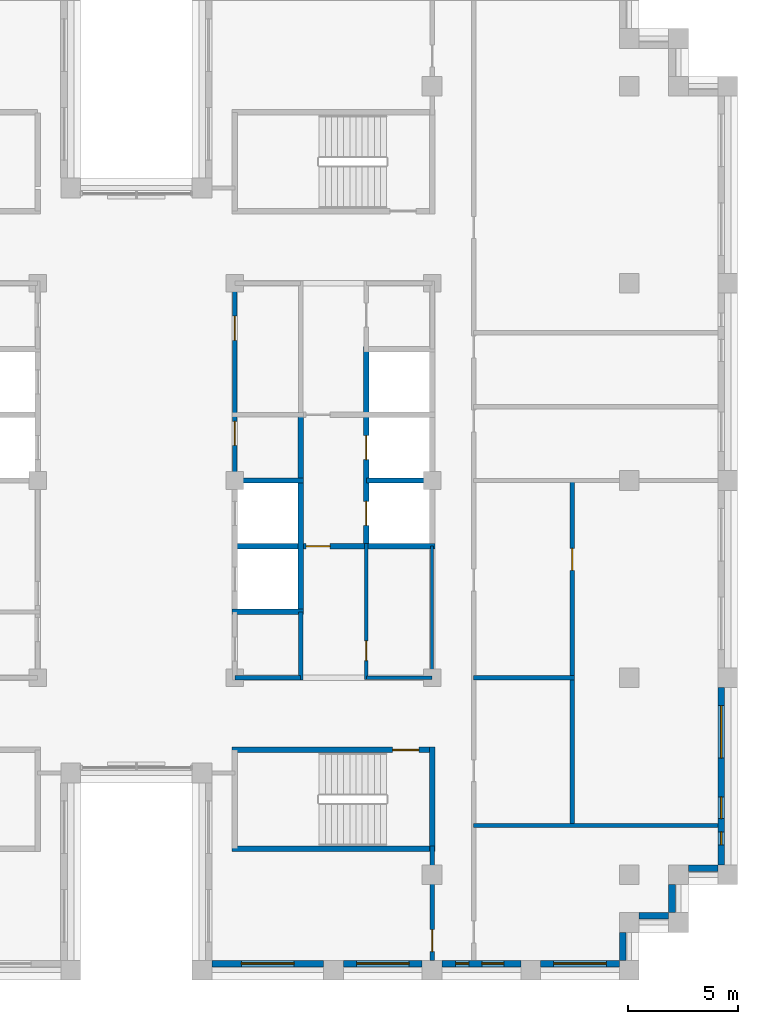
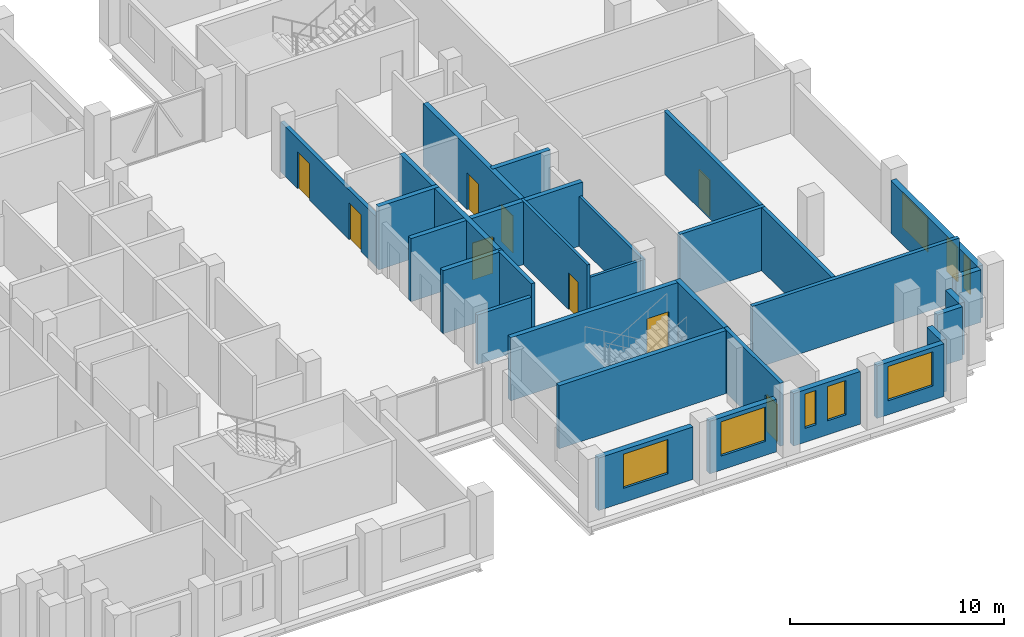
# One storey, part 8 of 13: 28 walls, 9 doors, 8 windows, 17 openings.
"""IFC4 building model written with IfcOpenShell, lengths in metres."""

from ifc_helpers import new_model, si_unit, direction, frame, frame_2d, origin, place, context, subcontext, project, spatial, rectangle, extrude, material, layer, layer_set, type_object, element, fill, save


model = new_model("IFC4")

# Units and contexts
model_context = context("Model", 3, precision=1e-05, world=origin(), true_north=direction((0.0, 1.0)))
body_context = subcontext(model_context, "Body", "Model", "MODEL_VIEW")
ifc_project = project(units=[si_unit("LENGTHUNIT", "METRE"), si_unit("AREAUNIT", "SQUARE_METRE"), si_unit("VOLUMEUNIT", "CUBIC_METRE"), si_unit("PLANEANGLEUNIT", "RADIAN"), si_unit("MASSUNIT", "GRAM", prefix="KILO")], contexts=[model_context])

# Site, building, storey
site_placement = place(None, origin())
site = spatial("IfcSite", under=ifc_project, at=site_placement, CompositionType="ELEMENT")
building_placement = place(site_placement, origin())
building = spatial("IfcBuilding", under=site, at=building_placement, Name="Corbelhall Arena Tower", CompositionType="ELEMENT")
storey_placement = place(building_placement, frame((0.0, 0.0, 290.0)))
storey = spatial("IfcBuildingStorey", under=building, at=storey_placement, Name="L63", CompositionType="ELEMENT", Elevation=290.0)

# Wall, opening, window
ifc_material_1 = material(Name="Precast concrete C40/50 with granite facing", Category="masonry")
ifc_layer_1 = layer(ifc_material_1, 0.300048828125)
ifc_layer_set_1 = layer_set([ifc_layer_1], Name="EV-IW1 Infill panel 300")
wall_type_1 = type_object("IfcWallType", Name="EV-IW1 Infill panel 300", PredefinedType="SOLIDWALL", material=ifc_layer_set_1)
wall_1_placement = place(storey_placement, frame((3.449951171875, -22.050048828125, 0.0), z_axis=(0.0, 0.0, 1.0), x_axis=(1.0, 0.0, 0.0)))
wall_1 = element("IfcWall", 1, at=wall_1_placement, inside=storey, type_object=wall_type_1, Name="Infill panel IW1", PredefinedType="SOLIDWALL", context=body_context, shape_type="SweptSolid", body=[
    extrude(rectangle(XDim=5.10009765625, YDim=0.300048828125, at=frame_2d((2.550048828125, 0.0))), origin(), (0.0, 0.0, 1.0), 2.989990234375),
])
opening_1_placement = place(wall_1_placement, frame((1.35009765625, 0.0, 0.800048828125)))
opening_1 = element("IfcOpeningElement", 2, at=opening_1_placement, cuts=wall_1, Name="Opening WN1", PredefinedType="OPENING", context=body_context, shape_type="SweptSolid", body=[
    extrude(rectangle(XDim=2.39990234375, YDim=1.949951171875, at=frame_2d((1.199951171875, 0.97509765625))), frame((0.0, 0.14990234375, 0.0), z_axis=(0.0, -1.0, 0.0), x_axis=(1.0, 0.0, 0.0)), (0.0, 0.0, 1.0), 0.300048828125),
])
ifc_material_2 = material(Name="Aluminium black anodised", Category="aluminium")
window_type_1 = type_object("IfcWindowType", Name="EV-WN1 Office window", PartitioningType="SINGLE_PANEL", PredefinedType="WINDOW", material=ifc_material_2)
window_1_placement = place(opening_1_placement, origin())
window_1 = element("IfcWindow", 3, at=window_1_placement, inside=storey, type_object=window_type_1, Name="Window WN1", OverallHeight=1.949951171875, OverallWidth=2.39990234375, PartitioningType="SINGLE_PANEL", PredefinedType="WINDOW", context=body_context, shape_type="SweptSolid", body=[
    extrude(rectangle(XDim=2.39990234375, YDim=1.949951171875, at=frame_2d((1.199951171875, 0.97509765625))), frame((0.0, 0.030029296875, 0.0), z_axis=(0.0, -1.0, 0.0), x_axis=(1.0, 0.0, 0.0)), (0.0, 0.0, 1.0), 0.06005859375),
])
fill(opening_1, window_1)

wall_2_placement = place(storey_placement, frame((9.449951171875, -22.050048828125, 0.0), z_axis=(0.0, 0.0, 1.0), x_axis=(1.0, 0.0, 0.0)))
wall_2 = element("IfcWall", 4, at=wall_2_placement, inside=storey, type_object=wall_type_1, Name="Infill panel IW1", PredefinedType="SOLIDWALL", context=body_context, shape_type="SweptSolid", body=[
    extrude(rectangle(XDim=3.60009765625, YDim=0.300048828125, at=frame_2d((1.800048828125, 0.0))), origin(), (0.0, 0.0, 1.0), 2.989990234375),
])
opening_2_placement = place(wall_2_placement, frame((0.60009765625, 0.0, 0.800048828125)))
opening_2 = element("IfcOpeningElement", 5, at=opening_2_placement, cuts=wall_2, Name="Opening WN1", PredefinedType="OPENING", context=body_context, shape_type="SweptSolid", body=[
    extrude(rectangle(XDim=2.39990234375, YDim=1.949951171875, at=frame_2d((1.199951171875, 0.97509765625))), frame((0.0, 0.14990234375, 0.0), z_axis=(0.0, -1.0, 0.0), x_axis=(1.0, 0.0, 0.0)), (0.0, 0.0, 1.0), 0.300048828125),
])
window_2_placement = place(opening_2_placement, origin())
window_2 = element("IfcWindow", 6, at=window_2_placement, inside=storey, type_object=window_type_1, Name="Window WN1", OverallHeight=1.949951171875, OverallWidth=2.39990234375, PartitioningType="SINGLE_PANEL", PredefinedType="WINDOW", context=body_context, shape_type="SweptSolid", body=[
    extrude(rectangle(XDim=2.39990234375, YDim=1.949951171875, at=frame_2d((1.199951171875, 0.97509765625))), frame((0.0, 0.030029296875, 0.0), z_axis=(0.0, -1.0, 0.0), x_axis=(1.0, 0.0, 0.0)), (0.0, 0.0, 1.0), 0.06005859375),
])
fill(opening_2, window_2)

# Wall, openings, windows
wall_3_placement = place(storey_placement, frame((13.949951171875, -22.050048828125, 0.0), z_axis=(0.0, 0.0, 1.0), x_axis=(1.0, 0.0, 0.0)))
wall_3 = element("IfcWall", 7, at=wall_3_placement, inside=storey, type_object=wall_type_1, Name="Infill panel IW1", PredefinedType="SOLIDWALL", context=body_context, shape_type="SweptSolid", body=[
    extrude(rectangle(XDim=3.60009765625, YDim=0.300048828125, at=frame_2d((1.800048828125, 0.0))), origin(), (0.0, 0.0, 1.0), 2.989990234375),
])
opening_3_placement = place(wall_3_placement, frame((0.625, 0.0, 0.800048828125)))
opening_3 = element("IfcOpeningElement", 8, at=opening_3_placement, cuts=wall_3, Name="Opening WN5", PredefinedType="OPENING", context=body_context, shape_type="SweptSolid", body=[
    extrude(rectangle(XDim=0.60009765625, YDim=1.949951171875, at=frame_2d((0.300048828125, 0.97509765625))), frame((0.0, 0.14990234375, 0.0), z_axis=(0.0, -1.0, 0.0), x_axis=(1.0, 0.0, 0.0)), (0.0, 0.0, 1.0), 0.300048828125),
])
opening_4_placement = place(wall_3_placement, frame((1.824951171875, 0.0, 0.800048828125)))
opening_4 = element("IfcOpeningElement", 9, at=opening_4_placement, cuts=wall_3, Name="Opening WN6", PredefinedType="OPENING", context=body_context, shape_type="SweptSolid", body=[
    extrude(rectangle(XDim=1.0, YDim=1.949951171875, at=frame_2d((0.5, 0.97509765625))), frame((0.0, 0.14990234375, 0.0), z_axis=(0.0, -1.0, 0.0), x_axis=(1.0, 0.0, 0.0)), (0.0, 0.0, 1.0), 0.300048828125),
])
window_type_2 = type_object("IfcWindowType", Name="EV-WN5 Office window 600", PartitioningType="SINGLE_PANEL", PredefinedType="WINDOW", material=ifc_material_2)
window_3_placement = place(opening_3_placement, origin())
window_3 = element("IfcWindow", 10, at=window_3_placement, inside=storey, type_object=window_type_2, Name="Window WN5", OverallHeight=1.949951171875, OverallWidth=0.60009765625, PartitioningType="SINGLE_PANEL", PredefinedType="WINDOW", context=body_context, shape_type="SweptSolid", body=[
    extrude(rectangle(XDim=0.60009765625, YDim=1.949951171875, at=frame_2d((0.300048828125, 0.97509765625))), frame((0.0, 0.030029296875, 0.0), z_axis=(0.0, -1.0, 0.0), x_axis=(1.0, 0.0, 0.0)), (0.0, 0.0, 1.0), 0.06005859375),
])
fill(opening_3, window_3)
window_type_3 = type_object("IfcWindowType", Name="EV-WN6 Office window 1000", PartitioningType="SINGLE_PANEL", PredefinedType="WINDOW", material=ifc_material_2)
window_4_placement = place(opening_4_placement, origin())
window_4 = element("IfcWindow", 11, at=window_4_placement, inside=storey, type_object=window_type_3, Name="Window WN6", OverallHeight=1.949951171875, OverallWidth=1.0, PartitioningType="SINGLE_PANEL", PredefinedType="WINDOW", context=body_context, shape_type="SweptSolid", body=[
    extrude(rectangle(XDim=1.0, YDim=1.949951171875, at=frame_2d((0.5, 0.97509765625))), frame((0.0, 0.030029296875, 0.0), z_axis=(0.0, -1.0, 0.0), x_axis=(1.0, 0.0, 0.0)), (0.0, 0.0, 1.0), 0.06005859375),
])
fill(opening_4, window_4)

# Wall, opening, window
wall_4_placement = place(storey_placement, frame((18.449951171875, -22.050048828125, 0.0), z_axis=(0.0, 0.0, 1.0), x_axis=(1.0, 0.0, 0.0)))
wall_4 = element("IfcWall", 12, at=wall_4_placement, inside=storey, type_object=wall_type_1, Name="Infill panel IW1", PredefinedType="SOLIDWALL", context=body_context, shape_type="SweptSolid", body=[
    extrude(rectangle(XDim=3.60009765625, YDim=0.300048828125, at=frame_2d((1.800048828125, 0.0))), origin(), (0.0, 0.0, 1.0), 2.989990234375),
])
opening_5_placement = place(wall_4_placement, frame((0.60009765625, 0.0, 0.800048828125)))
opening_5 = element("IfcOpeningElement", 13, at=opening_5_placement, cuts=wall_4, Name="Opening WN1", PredefinedType="OPENING", context=body_context, shape_type="SweptSolid", body=[
    extrude(rectangle(XDim=2.39990234375, YDim=1.949951171875, at=frame_2d((1.199951171875, 0.97509765625))), frame((0.0, 0.14990234375, 0.0), z_axis=(0.0, -1.0, 0.0), x_axis=(1.0, 0.0, 0.0)), (0.0, 0.0, 1.0), 0.300048828125),
])
window_5_placement = place(opening_5_placement, origin())
window_5 = element("IfcWindow", 14, at=window_5_placement, inside=storey, type_object=window_type_1, Name="Window WN1", OverallHeight=1.949951171875, OverallWidth=2.39990234375, PartitioningType="SINGLE_PANEL", PredefinedType="WINDOW", context=body_context, shape_type="SweptSolid", body=[
    extrude(rectangle(XDim=2.39990234375, YDim=1.949951171875, at=frame_2d((1.199951171875, 0.97509765625))), frame((0.0, 0.030029296875, 0.0), z_axis=(0.0, -1.0, 0.0), x_axis=(1.0, 0.0, 0.0)), (0.0, 0.0, 1.0), 0.06005859375),
])
fill(opening_5, window_5)

# Walls
wall_5_placement = place(storey_placement, frame((22.199951171875, -21.89990234375, 0.0), z_axis=(0.0, 0.0, 1.0), x_axis=(0.0, 1.0, 0.0)))
element("IfcWall", 15, at=wall_5_placement, inside=storey, type_object=wall_type_1, Name="Infill panel IW1", PredefinedType="SOLIDWALL", context=body_context, shape_type="SweptSolid", body=[
    extrude(rectangle(XDim=1.27490234375, YDim=0.300048828125, at=frame_2d((0.637451171875, 0.0))), origin(), (0.0, 0.0, 1.0), 2.989990234375),
])
wall_6_placement = place(storey_placement, frame((22.949951171875, -19.875, 0.0), z_axis=(0.0, 0.0, 1.0), x_axis=(1.0, 0.0, 0.0)))
element("IfcWall", 16, at=wall_6_placement, inside=storey, type_object=wall_type_1, Name="Infill panel IW1", PredefinedType="SOLIDWALL", context=body_context, shape_type="SweptSolid", body=[
    extrude(rectangle(XDim=1.35009765625, YDim=0.300048828125, at=frame_2d((0.675048828125, 0.0))), origin(), (0.0, 0.0, 1.0), 2.989990234375),
])
wall_7_placement = place(storey_placement, frame((24.449951171875, -19.72509765625, 0.0), z_axis=(0.0, 0.0, 1.0), x_axis=(0.0, 1.0, 0.0)))
element("IfcWall", 17, at=wall_7_placement, inside=storey, type_object=wall_type_1, Name="Infill panel IW1", PredefinedType="SOLIDWALL", context=body_context, shape_type="SweptSolid", body=[
    extrude(rectangle(XDim=1.275146484375, YDim=0.300048828125, at=frame_2d((0.6376953125, 0.0))), origin(), (0.0, 0.0, 1.0), 2.989990234375),
])
wall_8_placement = place(storey_placement, frame((25.199951171875, -17.699951171875, 0.0), z_axis=(0.0, 0.0, 1.0), x_axis=(1.0, 0.0, 0.0)))
element("IfcWall", 18, at=wall_8_placement, inside=storey, type_object=wall_type_1, Name="Infill panel IW1", PredefinedType="SOLIDWALL", context=body_context, shape_type="SweptSolid", body=[
    extrude(rectangle(XDim=1.35009765625, YDim=0.300048828125, at=frame_2d((0.675048828125, 0.0))), origin(), (0.0, 0.0, 1.0), 2.989990234375),
])

# Wall, openings, windows
wall_9_placement = place(storey_placement, frame((26.699951171875, -17.550048828125, 0.0), z_axis=(0.0, 0.0, 1.0), x_axis=(0.0, 1.0, 0.0)))
wall_9 = element("IfcWall", 19, at=wall_9_placement, inside=storey, type_object=wall_type_1, Name="Infill panel IW1", PredefinedType="SOLIDWALL", context=body_context, shape_type="SweptSolid", body=[
    extrude(rectangle(XDim=8.10009765625, YDim=0.300048828125, at=frame_2d((4.050048828125, 0.0))), origin(), (0.0, 0.0, 1.0), 2.989990234375),
])
opening_6_placement = place(wall_9_placement, frame((4.875, 0.0, 0.800048828125)))
opening_6 = element("IfcOpeningElement", 20, at=opening_6_placement, cuts=wall_9, Name="Opening WN1", PredefinedType="OPENING", context=body_context, shape_type="SweptSolid", body=[
    extrude(rectangle(XDim=2.39990234375, YDim=1.949951171875, at=frame_2d((1.199951171875, 0.97509765625))), frame((0.0, 0.14990234375, 0.0), z_axis=(0.0, -1.0, 0.0), x_axis=(1.0, 0.0, 0.0)), (0.0, 0.0, 1.0), 0.300048828125),
])
opening_7_placement = place(wall_9_placement, frame((0.91259765625, 0.0, 0.800048828125)))
opening_7 = element("IfcOpeningElement", 21, at=opening_7_placement, cuts=wall_9, Name="Opening WN5", PredefinedType="OPENING", context=body_context, shape_type="SweptSolid", body=[
    extrude(rectangle(XDim=0.60009765625, YDim=1.949951171875, at=frame_2d((0.300048828125, 0.97509765625))), frame((0.0, 0.14990234375, 0.0), z_axis=(0.0, -1.0, 0.0), x_axis=(1.0, 0.0, 0.0)), (0.0, 0.0, 1.0), 0.300048828125),
])
opening_8_placement = place(wall_9_placement, frame((2.112548828125, 0.0, 0.800048828125)))
opening_8 = element("IfcOpeningElement", 22, at=opening_8_placement, cuts=wall_9, Name="Opening WN6", PredefinedType="OPENING", context=body_context, shape_type="SweptSolid", body=[
    extrude(rectangle(XDim=1.0, YDim=1.949951171875, at=frame_2d((0.5, 0.97509765625))), frame((0.0, 0.14990234375, 0.0), z_axis=(0.0, -1.0, 0.0), x_axis=(1.0, 0.0, 0.0)), (0.0, 0.0, 1.0), 0.300048828125),
])
window_6_placement = place(opening_6_placement, origin())
window_6 = element("IfcWindow", 23, at=window_6_placement, inside=storey, type_object=window_type_1, Name="Window WN1", OverallHeight=1.949951171875, OverallWidth=2.39990234375, PartitioningType="SINGLE_PANEL", PredefinedType="WINDOW", context=body_context, shape_type="SweptSolid", body=[
    extrude(rectangle(XDim=2.39990234375, YDim=1.949951171875, at=frame_2d((1.199951171875, 0.97509765625))), frame((0.0, 0.030029296875, 0.0), z_axis=(0.0, -1.0, 0.0), x_axis=(1.0, 0.0, 0.0)), (0.0, 0.0, 1.0), 0.06005859375),
])
fill(opening_6, window_6)
window_7_placement = place(opening_7_placement, origin())
window_7 = element("IfcWindow", 24, at=window_7_placement, inside=storey, type_object=window_type_2, Name="Window WN5", OverallHeight=1.949951171875, OverallWidth=0.60009765625, PartitioningType="SINGLE_PANEL", PredefinedType="WINDOW", context=body_context, shape_type="SweptSolid", body=[
    extrude(rectangle(XDim=0.60009765625, YDim=1.949951171875, at=frame_2d((0.300048828125, 0.97509765625))), frame((0.0, 0.030029296875, 0.0), z_axis=(0.0, -1.0, 0.0), x_axis=(1.0, 0.0, 0.0)), (0.0, 0.0, 1.0), 0.06005859375),
])
fill(opening_7, window_7)
window_8_placement = place(opening_8_placement, origin())
window_8 = element("IfcWindow", 25, at=window_8_placement, inside=storey, type_object=window_type_3, Name="Window WN6", OverallHeight=1.949951171875, OverallWidth=1.0, PartitioningType="SINGLE_PANEL", PredefinedType="WINDOW", context=body_context, shape_type="SweptSolid", body=[
    extrude(rectangle(XDim=1.0, YDim=1.949951171875, at=frame_2d((0.5, 0.97509765625))), frame((0.0, 0.030029296875, 0.0), z_axis=(0.0, -1.0, 0.0), x_axis=(1.0, 0.0, 0.0)), (0.0, 0.0, 1.0), 0.06005859375),
])
fill(opening_8, window_8)

# Wall, opening, door
ifc_material_3 = material(Name="Gypsum board on steel stud, acoustic", Category="steel")
ifc_layer_2 = layer(ifc_material_3, 0.199951171875)
ifc_layer_set_2 = layer_set([ifc_layer_2], Name="IN-W-DM200")
wall_type_2 = type_object("IfcWallType", Name="IN-W-DM200", PredefinedType="PARTITIONING", material=ifc_layer_set_2)
wall_10_placement = place(storey_placement, frame((13.5, -21.89990234375, 0.0), z_axis=(0.0, 0.0, 1.0), x_axis=(0.0, 1.0, 0.0)))
wall_10 = element("IfcWall", 26, at=wall_10_placement, inside=storey, type_object=wall_type_2, Name="Partition 012", PredefinedType="PARTITIONING", context=body_context, shape_type="SweptSolid", body=[
    extrude(rectangle(XDim=5.224853515625, YDim=0.199951171875, at=frame_2d((2.6123046875, 0.0))), origin(), (0.0, 0.0, 1.0), 3.590087890625),
])
opening_9_placement = place(wall_10_placement, frame((0.39990234375, 0.0, 0.0)))
opening_9 = element("IfcOpeningElement", 27, at=opening_9_placement, cuts=wall_10, Name="Opening 20022", PredefinedType="OPENING", context=body_context, shape_type="SweptSolid", body=[
    extrude(rectangle(XDim=1.0, YDim=2.10009765625, at=frame_2d((0.5, 1.050048828125))), frame((0.0, 0.10009765625, 0.0), z_axis=(0.0, -1.0, 0.0), x_axis=(1.0, 0.0, 0.0)), (0.0, 0.0, 1.0), 0.199951171875),
])
ifc_material_4 = material(Name="Steel door set", Category="steel")
door_type_1 = type_object("IfcDoorType", Name="IN-D-SW100", OperationType="NOTDEFINED", PredefinedType="DOOR", material=ifc_material_4)
door_1_placement = place(opening_9_placement, origin())
door_1 = element("IfcDoor", 28, at=door_1_placement, inside=storey, type_object=door_type_1, Name="Door 022", OperationType="SINGLE_SWING_LEFT", OverallHeight=2.10009765625, OverallWidth=1.0, PredefinedType="DOOR", context=body_context, shape_type="SweptSolid", body=[
    extrude(rectangle(XDim=1.0, YDim=2.10009765625, at=frame_2d((0.5, 1.050048828125))), frame((0.0, 0.02490234375, 0.0), z_axis=(0.0, -1.0, 0.0), x_axis=(1.0, 0.0, 0.0)), (0.0, 0.0, 1.0), 0.050048828125),
])
fill(opening_9, door_1)

# Walls
wall_11_placement = place(storey_placement, frame((15.39990234375, -15.75, 0.0), z_axis=(0.0, 0.0, 1.0), x_axis=(1.0, 0.0, 0.0)))
element("IfcWall", 29, at=wall_11_placement, inside=storey, type_object=wall_type_2, Name="Partition 014", PredefinedType="PARTITIONING", context=body_context, shape_type="SweptSolid", body=[
    extrude(rectangle(XDim=11.150146484375, YDim=0.199951171875, at=frame_2d((5.5751953125, 0.0))), origin(), (0.0, 0.0, 1.0), 3.590087890625),
])
wall_12_placement = place(storey_placement, frame((15.39990234375, -9.0, 0.0), z_axis=(0.0, 0.0, 1.0), x_axis=(1.0, 0.0, 0.0)))
element("IfcWall", 30, at=wall_12_placement, inside=storey, type_object=wall_type_2, Name="Partition 016", PredefinedType="PARTITIONING", context=body_context, shape_type="SweptSolid", body=[
    extrude(rectangle(XDim=4.60009765625, YDim=0.199951171875, at=frame_2d((2.300048828125, 0.0))), origin(), (0.0, 0.0, 1.0), 3.590087890625),
])

# Wall, opening, door
wall_13_placement = place(storey_placement, frame((19.89990234375, 0.0, 0.0), z_axis=(0.0, 0.0, 1.0), x_axis=(0.0, -1.0, 0.0)))
wall_13 = element("IfcWall", 31, at=wall_13_placement, inside=storey, type_object=wall_type_2, Name="Partition 019", PredefinedType="PARTITIONING", context=body_context, shape_type="SweptSolid", body=[
    extrude(rectangle(XDim=15.75, YDim=0.199951171875, at=frame_2d((7.875, 0.0))), origin(), (0.0, 0.0, 1.0), 3.590087890625),
])
opening_10_placement = place(wall_13_placement, frame((3.10009765625, 0.0, 0.0)))
opening_10 = element("IfcOpeningElement", 32, at=opening_10_placement, cuts=wall_13, Name="Opening 20034", PredefinedType="OPENING", context=body_context, shape_type="SweptSolid", body=[
    extrude(rectangle(XDim=1.0, YDim=2.10009765625, at=frame_2d((0.5, 1.050048828125))), frame((0.0, 0.10009765625, 0.0), z_axis=(0.0, -1.0, 0.0), x_axis=(1.0, 0.0, 0.0)), (0.0, 0.0, 1.0), 0.199951171875),
])
door_2_placement = place(opening_10_placement, origin())
door_2 = element("IfcDoor", 33, at=door_2_placement, inside=storey, type_object=door_type_1, Name="Door 034", OperationType="SINGLE_SWING_LEFT", OverallHeight=2.10009765625, OverallWidth=1.0, PredefinedType="DOOR", context=body_context, shape_type="SweptSolid", body=[
    extrude(rectangle(XDim=1.0, YDim=2.10009765625, at=frame_2d((0.5, 1.050048828125))), frame((0.0, 0.02490234375, 0.0), z_axis=(0.0, -1.0, 0.0), x_axis=(1.0, 0.0, 0.0)), (0.0, 0.0, 1.0), 0.050048828125),
])
fill(opening_10, door_2)

# Wall
ifc_material_5 = material(Name="Concrete block wall", Category="concrete")
ifc_layer_3 = layer(ifc_material_5, 0.199951171875)
ifc_layer_set_3 = layer_set([ifc_layer_3], Name="IN-W-RS200")
wall_type_3 = type_object("IfcWallType", Name="IN-W-RS200", PredefinedType="SOLIDWALL", material=ifc_layer_set_3)
wall_14_placement = place(storey_placement, frame((7.5, -6.0, 0.0), z_axis=(0.0, 0.0, 1.0), x_axis=(0.0, -1.0, 0.0)))
element("IfcWall", 34, at=wall_14_placement, inside=storey, type_object=wall_type_3, Name="Partition 035", PredefinedType="SOLIDWALL", context=body_context, shape_type="SweptSolid", body=[
    extrude(rectangle(XDim=3.10009765625, YDim=0.199951171875, at=frame_2d((1.550048828125, 0.0))), origin(), (0.0, 0.0, 1.0), 3.590087890625),
])

# Wall, openings, doors
ifc_layer_4 = layer(ifc_material_5, 0.199951171875)
ifc_layer_set_4 = layer_set([ifc_layer_4], Name="IN-W-RS200 under beam 762 mm")
wall_type_4 = type_object("IfcWallType", Name="IN-W-RS200 under beam 762 mm", PredefinedType="SOLIDWALL", material=ifc_layer_set_4)
wall_15_placement = place(storey_placement, frame((4.5, 0.0, 0.0), z_axis=(0.0, 0.0, 1.0), x_axis=(0.0, 1.0, 0.0)))
wall_15 = element("IfcWall", 35, at=wall_15_placement, inside=storey, type_object=wall_type_4, Name="Partition 032", PredefinedType="SOLIDWALL", context=body_context, shape_type="SweptSolid", body=[
    extrude(rectangle(XDim=9.10009765625, YDim=0.199951171875, at=frame_2d((4.550048828125, 0.0))), origin(), (0.0, 0.0, 1.0), 2.827880859375),
])
opening_11_placement = place(wall_15_placement, frame((1.60009765625, 0.0, 0.0)))
opening_11 = element("IfcOpeningElement", 36, at=opening_11_placement, cuts=wall_15, Name="Opening 20010", PredefinedType="OPENING", context=body_context, shape_type="SweptSolid", body=[
    extrude(rectangle(XDim=1.10009765625, YDim=2.10009765625, at=frame_2d((0.550048828125, 1.050048828125))), frame((0.0, 0.10009765625, 0.0), z_axis=(0.0, -1.0, 0.0), x_axis=(1.0, 0.0, 0.0)), (0.0, 0.0, 1.0), 0.199951171875),
])
opening_12_placement = place(wall_15_placement, frame((6.39990234375, 0.0, 0.0)))
opening_12 = element("IfcOpeningElement", 37, at=opening_12_placement, cuts=wall_15, Name="Opening 20011", PredefinedType="OPENING", context=body_context, shape_type="SweptSolid", body=[
    extrude(rectangle(XDim=1.10009765625, YDim=2.10009765625, at=frame_2d((0.550048828125, 1.050048828125))), frame((0.0, 0.10009765625, 0.0), z_axis=(0.0, -1.0, 0.0), x_axis=(1.0, 0.0, 0.0)), (0.0, 0.0, 1.0), 0.199951171875),
])
door_type_2 = type_object("IfcDoorType", Name="IN-D-FD110", OperationType="NOTDEFINED", PredefinedType="DOOR", material=ifc_material_4)
door_3_placement = place(opening_11_placement, origin())
door_3 = element("IfcDoor", 38, at=door_3_placement, inside=storey, type_object=door_type_2, Name="Door 010", OperationType="SINGLE_SWING_LEFT", OverallHeight=2.10009765625, OverallWidth=1.10009765625, PredefinedType="DOOR", context=body_context, shape_type="SweptSolid", body=[
    extrude(rectangle(XDim=1.10009765625, YDim=2.10009765625, at=frame_2d((0.550048828125, 1.050048828125))), frame((0.0, 0.02490234375, 0.0), z_axis=(0.0, -1.0, 0.0), x_axis=(1.0, 0.0, 0.0)), (0.0, 0.0, 1.0), 0.050048828125),
])
fill(opening_11, door_3)
door_4_placement = place(opening_12_placement, origin())
door_4 = element("IfcDoor", 39, at=door_4_placement, inside=storey, type_object=door_type_2, Name="Door 011", OperationType="SINGLE_SWING_RIGHT", OverallHeight=2.10009765625, OverallWidth=1.10009765625, PredefinedType="DOOR", context=body_context, shape_type="SweptSolid", body=[
    extrude(rectangle(XDim=1.10009765625, YDim=2.10009765625, at=frame_2d((0.550048828125, 1.050048828125))), frame((0.0, 0.02490234375, 0.0), z_axis=(0.0, -1.0, 0.0), x_axis=(1.0, 0.0, 0.0)), (0.0, 0.0, 1.0), 0.050048828125),
])
fill(opening_12, door_4)

# Walls
wall_16_placement = place(storey_placement, frame((7.5, -9.0, 0.0), z_axis=(0.0, 0.0, 1.0), x_axis=(-1.0, 0.0, 0.0)))
element("IfcWall", 40, at=wall_16_placement, inside=storey, type_object=wall_type_4, Name="Partition 034", PredefinedType="SOLIDWALL", context=body_context, shape_type="SweptSolid", body=[
    extrude(rectangle(XDim=3.0, YDim=0.199951171875, at=frame_2d((1.5, 0.0))), origin(), (0.0, 0.0, 1.0), 2.827880859375),
])
ifc_material_6 = material(Name="Concrete C40/50", Category="concrete")
ifc_layer_5 = layer(ifc_material_6, 0.25)
ifc_layer_set_5 = layer_set([ifc_layer_5], Name="IN-W-SH250")
wall_type_5 = type_object("IfcWallType", Name="IN-W-SH250", PredefinedType="SOLIDWALL", material=ifc_layer_set_5)
wall_17_placement = place(storey_placement, frame((4.375, -6.0, 0.0), z_axis=(0.0, 0.0, 1.0), x_axis=(1.0, 0.0, 0.0)))
element("IfcWall", 41, at=wall_17_placement, inside=storey, type_object=wall_type_5, Name="Shaft wall 049", PredefinedType="SOLIDWALL", context=body_context, shape_type="SweptSolid", body=[
    extrude(rectangle(XDim=3.25, YDim=0.25, at=frame_2d((1.625, 0.0))), origin(), (0.0, 0.0, 1.0), 3.590087890625),
])

# Wall, opening, door
wall_18_placement = place(storey_placement, frame((4.375, -3.0, 0.0), z_axis=(0.0, 0.0, 1.0), x_axis=(1.0, 0.0, 0.0)))
wall_18 = element("IfcWall", 42, at=wall_18_placement, inside=storey, type_object=wall_type_5, Name="Shaft wall 050", PredefinedType="SOLIDWALL", context=body_context, shape_type="SweptSolid", body=[
    extrude(rectangle(XDim=9.25, YDim=0.25, at=frame_2d((4.625, 0.0))), origin(), (0.0, 0.0, 1.0), 3.590087890625),
])
opening_13_placement = place(wall_18_placement, frame((3.375, 0.0, 0.0)))
opening_13 = element("IfcOpeningElement", 43, at=opening_13_placement, cuts=wall_18, Name="Opening 20012", PredefinedType="OPENING", context=body_context, shape_type="SweptSolid", body=[
    extrude(rectangle(XDim=1.10009765625, YDim=2.10009765625, at=frame_2d((0.550048828125, 1.050048828125))), frame((0.0, 0.125, 0.0), z_axis=(0.0, -1.0, 0.0), x_axis=(1.0, 0.0, 0.0)), (0.0, 0.0, 1.0), 0.25),
])
door_5_placement = place(opening_13_placement, origin())
door_5 = element("IfcDoor", 44, at=door_5_placement, inside=storey, type_object=door_type_2, Name="Door 012", OperationType="SINGLE_SWING_LEFT", OverallHeight=2.10009765625, OverallWidth=1.10009765625, PredefinedType="DOOR", context=body_context, shape_type="SweptSolid", body=[
    extrude(rectangle(XDim=1.10009765625, YDim=2.10009765625, at=frame_2d((0.550048828125, 1.050048828125))), frame((0.0, 0.02490234375, 0.0), z_axis=(0.0, -1.0, 0.0), x_axis=(1.0, 0.0, 0.0)), (0.0, 0.0, 1.0), 0.050048828125),
])
fill(opening_13, door_5)

# Walls
wall_19_placement = place(storey_placement, frame((4.375, 0.0, 0.0), z_axis=(0.0, 0.0, 1.0), x_axis=(1.0, 0.0, 0.0)))
element("IfcWall", 45, at=wall_19_placement, inside=storey, type_object=wall_type_5, Name="Shaft wall 051", PredefinedType="SOLIDWALL", context=body_context, shape_type="SweptSolid", body=[
    extrude(rectangle(XDim=3.25, YDim=0.25, at=frame_2d((1.625, 0.0))), origin(), (0.0, 0.0, 1.0), 3.590087890625),
])
wall_20_placement = place(storey_placement, frame((7.5, 3.125, 0.0), z_axis=(0.0, 0.0, 1.0), x_axis=(0.0, -1.0, 0.0)))
element("IfcWall", 46, at=wall_20_placement, inside=storey, type_object=wall_type_5, Name="Shaft wall 053", PredefinedType="SOLIDWALL", context=body_context, shape_type="SweptSolid", body=[
    extrude(rectangle(XDim=9.125, YDim=0.25, at=frame_2d((4.5625, 0.0))), origin(), (0.0, 0.0, 1.0), 3.590087890625),
])
wall_21_placement = place(storey_placement, frame((10.5, 0.0, 0.0), z_axis=(0.0, 0.0, 1.0), x_axis=(1.0, 0.0, 0.0)))
element("IfcWall", 47, at=wall_21_placement, inside=storey, type_object=wall_type_5, Name="Shaft wall 055", PredefinedType="SOLIDWALL", context=body_context, shape_type="SweptSolid", body=[
    extrude(rectangle(XDim=3.125, YDim=0.25, at=frame_2d((1.5625, 0.0))), origin(), (0.0, 0.0, 1.0), 3.590087890625),
])

# Wall, openings, doors
wall_22_placement = place(storey_placement, frame((10.5, 6.125, 0.0), z_axis=(0.0, 0.0, 1.0), x_axis=(0.0, -1.0, 0.0)))
wall_22 = element("IfcWall", 48, at=wall_22_placement, inside=storey, type_object=wall_type_5, Name="Shaft wall 056", PredefinedType="SOLIDWALL", context=body_context, shape_type="SweptSolid", body=[
    extrude(rectangle(XDim=9.25, YDim=0.25, at=frame_2d((4.625, 0.0))), origin(), (0.0, 0.0, 1.0), 3.590087890625),
])
opening_14_placement = place(wall_22_placement, frame((7.074951171875, 0.0, 0.0)))
opening_14 = element("IfcOpeningElement", 49, at=opening_14_placement, cuts=wall_22, Name="Opening LD", PredefinedType="OPENING", context=body_context, shape_type="SweptSolid", body=[
    extrude(rectangle(XDim=1.10009765625, YDim=2.10009765625, at=frame_2d((0.550048828125, 1.050048828125))), frame((0.0, 0.125, 0.0), z_axis=(0.0, -1.0, 0.0), x_axis=(1.0, 0.0, 0.0)), (0.0, 0.0, 1.0), 0.25),
])
opening_15_placement = place(wall_22_placement, frame((4.074951171875, 0.0, 0.0)))
opening_15 = element("IfcOpeningElement", 50, at=opening_15_placement, cuts=wall_22, Name="Opening LD", PredefinedType="OPENING", context=body_context, shape_type="SweptSolid", body=[
    extrude(rectangle(XDim=1.10009765625, YDim=2.10009765625, at=frame_2d((0.550048828125, 1.050048828125))), frame((0.0, 0.125, 0.0), z_axis=(0.0, -1.0, 0.0), x_axis=(1.0, 0.0, 0.0)), (0.0, 0.0, 1.0), 0.25),
])
door_type_3 = type_object("IfcDoorType", Name="IN-D-LD110", OperationType="NOTDEFINED", PredefinedType="DOOR", material=ifc_material_4)
door_6_placement = place(opening_14_placement, origin())
door_6 = element("IfcDoor", 51, at=door_6_placement, inside=storey, type_object=door_type_3, Name="Landing door E3", OperationType="SLIDING_TO_LEFT", OverallHeight=2.10009765625, OverallWidth=1.10009765625, PredefinedType="DOOR", context=body_context, shape_type="SweptSolid", body=[
    extrude(rectangle(XDim=1.10009765625, YDim=2.10009765625, at=frame_2d((0.550048828125, 1.050048828125))), frame((0.0, 0.02490234375, 0.0), z_axis=(0.0, -1.0, 0.0), x_axis=(1.0, 0.0, 0.0)), (0.0, 0.0, 1.0), 0.050048828125),
])
fill(opening_14, door_6)
door_7_placement = place(opening_15_placement, origin())
door_7 = element("IfcDoor", 52, at=door_7_placement, inside=storey, type_object=door_type_3, Name="Landing door E4", OperationType="SLIDING_TO_LEFT", OverallHeight=2.10009765625, OverallWidth=1.10009765625, PredefinedType="DOOR", context=body_context, shape_type="SweptSolid", body=[
    extrude(rectangle(XDim=1.10009765625, YDim=2.10009765625, at=frame_2d((0.550048828125, 1.050048828125))), frame((0.0, 0.02490234375, 0.0), z_axis=(0.0, -1.0, 0.0), x_axis=(1.0, 0.0, 0.0)), (0.0, 0.0, 1.0), 0.050048828125),
])
fill(opening_15, door_7)

# Walls
ifc_layer_6 = layer(ifc_material_6, 0.25)
ifc_layer_set_6 = layer_set([ifc_layer_6], Name="IN-W-ST250")
wall_type_6 = type_object("IfcWallType", Name="IN-W-ST250", PredefinedType="SOLIDWALL", material=ifc_layer_set_6)
wall_23_placement = place(storey_placement, frame((13.5, -16.925048828125, 0.0), z_axis=(0.0, 0.0, 1.0), x_axis=(0.0, 1.0, 0.0)))
element("IfcWall", 53, at=wall_23_placement, inside=storey, type_object=wall_type_6, Name="Shaft wall 072", PredefinedType="SOLIDWALL", context=body_context, shape_type="SweptSolid", body=[
    extrude(rectangle(XDim=4.75, YDim=0.25, at=frame_2d((2.375, 0.0))), origin(), (0.0, 0.0, 1.0), 3.590087890625),
])
wall_24_placement = place(storey_placement, frame((13.5, -16.800048828125, 0.0), z_axis=(0.0, 0.0, 1.0), x_axis=(-1.0, 0.0, 0.0)))
element("IfcWall", 54, at=wall_24_placement, inside=storey, type_object=wall_type_6, Name="Shaft wall 073", PredefinedType="SOLIDWALL", context=body_context, shape_type="SweptSolid", body=[
    extrude(rectangle(XDim=9.125, YDim=0.25, at=frame_2d((4.5625, 0.0))), origin(), (0.0, 0.0, 1.0), 3.590087890625),
])

# Wall, opening, door
wall_25_placement = place(storey_placement, frame((13.5, -12.300048828125, 0.0), z_axis=(0.0, 0.0, 1.0), x_axis=(-1.0, 0.0, 0.0)))
wall_25 = element("IfcWall", 55, at=wall_25_placement, inside=storey, type_object=wall_type_6, Name="Shaft wall 074", PredefinedType="SOLIDWALL", context=body_context, shape_type="SweptSolid", body=[
    extrude(rectangle(XDim=9.125, YDim=0.25, at=frame_2d((4.5625, 0.0))), origin(), (0.0, 0.0, 1.0), 3.590087890625),
])
opening_16_placement = place(wall_25_placement, frame((0.60009765625, 0.0, 0.0)))
opening_16 = element("IfcOpeningElement", 56, at=opening_16_placement, cuts=wall_25, Name="Opening 20019", PredefinedType="OPENING", context=body_context, shape_type="SweptSolid", body=[
    extrude(rectangle(XDim=1.199951171875, YDim=2.10009765625, at=frame_2d((0.60009765625, 1.050048828125))), frame((0.0, 0.125, 0.0), z_axis=(0.0, -1.0, 0.0), x_axis=(1.0, 0.0, 0.0)), (0.0, 0.0, 1.0), 0.25),
])
door_type_4 = type_object("IfcDoorType", Name="IN-D-ST120", OperationType="NOTDEFINED", PredefinedType="DOOR", material=ifc_material_4)
door_8_placement = place(opening_16_placement, origin())
door_8 = element("IfcDoor", 57, at=door_8_placement, inside=storey, type_object=door_type_4, Name="Door 019", OperationType="SINGLE_SWING_RIGHT", OverallHeight=2.10009765625, OverallWidth=1.199951171875, PredefinedType="DOOR", context=body_context, shape_type="SweptSolid", body=[
    extrude(rectangle(XDim=1.199951171875, YDim=2.10009765625, at=frame_2d((0.60009765625, 1.050048828125))), frame((0.0, 0.02490234375, 0.0), z_axis=(0.0, -1.0, 0.0), x_axis=(1.0, 0.0, 0.0)), (0.0, 0.0, 1.0), 0.050048828125),
])
fill(opening_16, door_8)

ifc_material_7 = material(Name="Gypsum board on steel stud, moisture resistant", Category="steel")
ifc_layer_7 = layer(ifc_material_7, 0.14990234375)
ifc_layer_set_7 = layer_set([ifc_layer_7], Name="IN-W-WC150")
wall_type_7 = type_object("IfcWallType", Name="IN-W-WC150", PredefinedType="PARTITIONING", material=ifc_layer_set_7)
wall_26_placement = place(storey_placement, frame((10.5, -2.875, 0.0), z_axis=(0.0, 0.0, 1.0), x_axis=(0.0, -1.0, 0.0)))
wall_26 = element("IfcWall", 58, at=wall_26_placement, inside=storey, type_object=wall_type_7, Name="Partition 083", PredefinedType="PARTITIONING", context=body_context, shape_type="SweptSolid", body=[
    extrude(rectangle(XDim=6.199951171875, YDim=0.14990234375, at=frame_2d((3.10009765625, 0.0))), origin(), (0.0, 0.0, 1.0), 3.590087890625),
])
opening_17_placement = place(wall_26_placement, frame((4.449951171875, 0.0, 0.0)))
opening_17 = element("IfcOpeningElement", 59, at=opening_17_placement, cuts=wall_26, Name="Opening 20014", PredefinedType="OPENING", context=body_context, shape_type="SweptSolid", body=[
    extrude(rectangle(XDim=0.89990234375, YDim=2.10009765625, at=frame_2d((0.449951171875, 1.050048828125))), frame((0.0, 0.074951171875, 0.0), z_axis=(0.0, -1.0, 0.0), x_axis=(1.0, 0.0, 0.0)), (0.0, 0.0, 1.0), 0.14990234375),
])
ifc_material_8 = material(Name="Timber door set", Category="wood")
door_type_5 = type_object("IfcDoorType", Name="IN-D-SW90", OperationType="NOTDEFINED", PredefinedType="DOOR", material=ifc_material_8)
door_9_placement = place(opening_17_placement, origin())
door_9 = element("IfcDoor", 60, at=door_9_placement, inside=storey, type_object=door_type_5, Name="Door 014", OperationType="SINGLE_SWING_LEFT", OverallHeight=2.10009765625, OverallWidth=0.89990234375, PredefinedType="DOOR", context=body_context, shape_type="SweptSolid", body=[
    extrude(rectangle(XDim=0.89990234375, YDim=2.10009765625, at=frame_2d((0.449951171875, 1.050048828125))), frame((0.0, 0.02490234375, 0.0), z_axis=(0.0, -1.0, 0.0), x_axis=(1.0, 0.0, 0.0)), (0.0, 0.0, 1.0), 0.050048828125),
])
fill(opening_17, door_9)

# Walls
ifc_layer_8 = layer(ifc_material_7, 0.14990234375)
ifc_layer_set_8 = layer_set([ifc_layer_8], Name="IN-W-WC150 under beam 762 mm")
wall_type_8 = type_object("IfcWallType", Name="IN-W-WC150 under beam 762 mm", PredefinedType="PARTITIONING", material=ifc_layer_set_8)
wall_27_placement = place(storey_placement, frame((13.5, -9.0, 0.0), z_axis=(0.0, 0.0, 1.0), x_axis=(-1.0, 0.0, 0.0)))
element("IfcWall", 61, at=wall_27_placement, inside=storey, type_object=wall_type_8, Name="Partition 084", PredefinedType="PARTITIONING", context=body_context, shape_type="SweptSolid", body=[
    extrude(rectangle(XDim=3.0, YDim=0.14990234375, at=frame_2d((1.5, 0.0))), origin(), (0.0, 0.0, 1.0), 2.827880859375),
])
wall_28_placement = place(storey_placement, frame((13.5, -3.0, 0.0), z_axis=(0.0, 0.0, 1.0), x_axis=(0.0, -1.0, 0.0)))
element("IfcWall", 62, at=wall_28_placement, inside=storey, type_object=wall_type_8, Name="Partition 085", PredefinedType="PARTITIONING", context=body_context, shape_type="SweptSolid", body=[
    extrude(rectangle(XDim=6.074951171875, YDim=0.14990234375, at=frame_2d((3.03759765625, 0.0))), origin(), (0.0, 0.0, 1.0), 2.827880859375),
])

save(model, "model.ifc")
